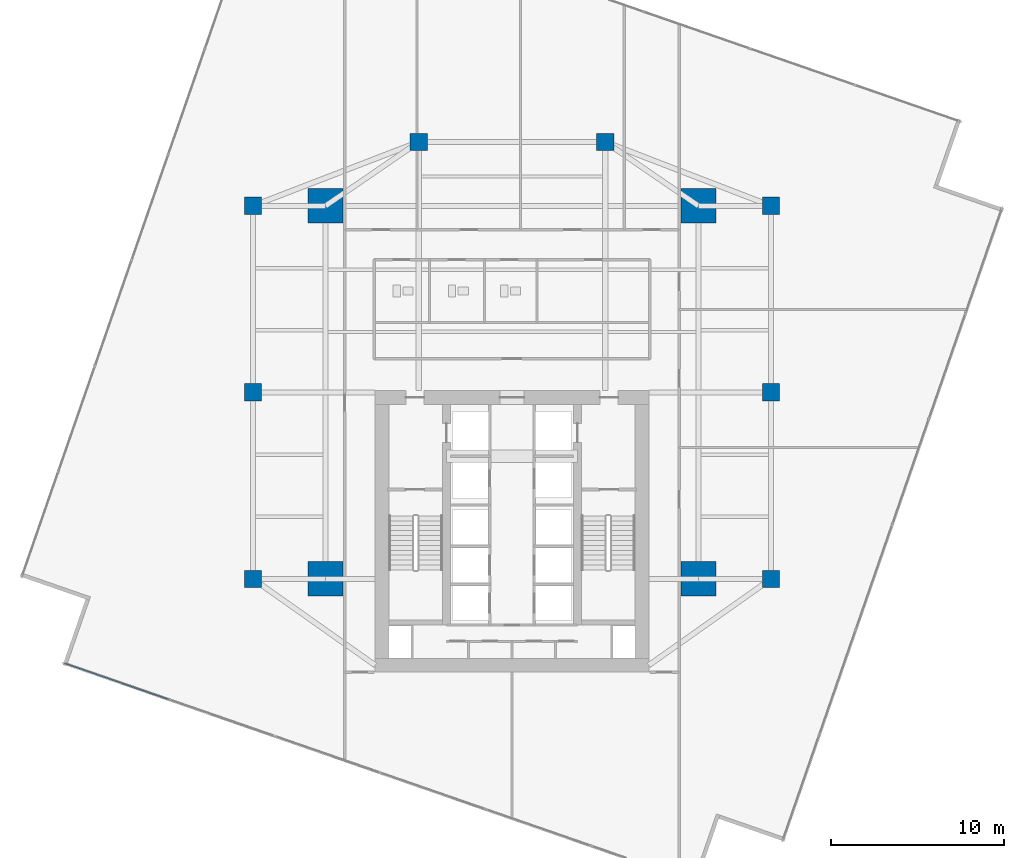
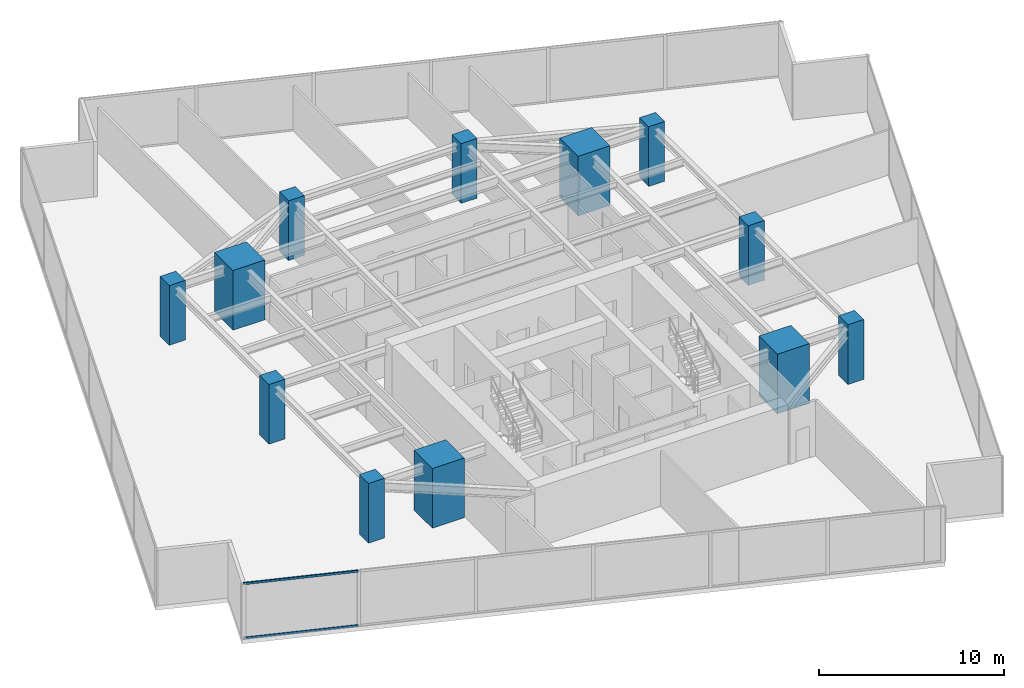
# One storey, part 1 of 27: 12 columns, 2 members, 1 element without a shape of its own.
"""IFC4 building model written with IfcOpenShell, lengths in metres."""

from ifc_helpers import new_model, si_unit, direction, frame, origin, origin_2d, place, context, subcontext, project, spatial, rectangle, hollow_rectangle, extrude, source, transform, mapped, material, material_profile, profile_set, type_object, type_shapes, element, aggregate, save


model = new_model("IFC4")

# Units and contexts
model_context = context("Model", 3, precision=1e-05, world=origin(), true_north=direction((0.0, 1.0)))
body_context = subcontext(model_context, "Body", "Model", "MODEL_VIEW")
ifc_project = project(units=[si_unit("LENGTHUNIT", "METRE"), si_unit("AREAUNIT", "SQUARE_METRE"), si_unit("VOLUMEUNIT", "CUBIC_METRE"), si_unit("PLANEANGLEUNIT", "RADIAN"), si_unit("MASSUNIT", "GRAM", prefix="KILO")], contexts=[model_context])

# Site, building, storey
site_placement = place(None, origin())
site = spatial("IfcSite", under=ifc_project, at=site_placement, CompositionType="ELEMENT")
building_placement = place(site_placement, origin())
building = spatial("IfcBuilding", under=site, at=building_placement, Name="Krantzveldt Concourse Tower", CompositionType="ELEMENT")
storey_placement = place(building_placement, frame((0.0, 0.0, 121.64990234375)))
storey = spatial("IfcBuildingStorey", under=building, at=storey_placement, Name="L29", CompositionType="ELEMENT", Elevation=121.64990234375)

# Columns
ifc_material_1 = material(Name="Concrete C60/75", Category="concrete")
ifc_material_profile_1 = material_profile(ifc_material_1, rectangle(XDim=2.0, YDim=2.0, at=origin_2d()), Name="Concrete C60/75", Category="concrete")
ifc_profile_set_1 = profile_set([ifc_material_profile_1], Name="Concrete C60/75 - RC 2000x2000")
column_type_1 = type_object("IfcColumnType", Name="COL-MC-2000", PredefinedType="USERDEFINED", material=ifc_profile_set_1)
shared_shape_1 = source(origin(), body_context, "Body", "SweptSolid", [
    extrude(rectangle(XDim=2.0, YDim=2.0, at=origin_2d()), origin(), (0.0, 0.0, 1.0), 3.9501953125),
])
type_shapes(column_type_1, [shared_shape_1])
for number, where, z_axis, x_axis, name in (
    (1, (25.199951171875, 15.89990234375, 0.0), (0.0, 0.0, 1.0), (1.0, 0.0, 0.0), "MC-SW-L29"),
    (2, (46.800048828125, 15.89990234375, 0.0), (0.0, 0.0, 1.0), (1.0, 0.0, 0.0), "MC-SE-L29"),
    (3, (46.800048828125, 37.5, 0.0), (0.0, 0.0, 1.0), (1.0, 0.0, 0.0), "MC-NE-L29"),
    (4, (25.199951171875, 37.5, 0.0), (0.0, 0.0, 1.0), (1.0, 0.0, 0.0), "MC-NW-L29"),
):
    element("IfcColumn", number, at=place(storey_placement, frame(where, z_axis=z_axis, x_axis=x_axis)), inside=storey, type_object=column_type_1, Name=name, ObjectType="MEGA COLUMN", PredefinedType="USERDEFINED", context=body_context, shape_type="MappedRepresentation", body=[
        mapped(shared_shape_1, transform((0.0, 0.0, 0.0), x_axis=(1.0, 0.0, 0.0), y_axis=(0.0, 1.0, 0.0), z_axis=(0.0, 0.0, 1.0), scale=1.0)),
    ])
ifc_material_profile_2 = material_profile(ifc_material_1, rectangle(XDim=1.0, YDim=1.0, at=origin_2d()), Name="Concrete C60/75", Category="concrete")
ifc_profile_set_2 = profile_set([ifc_material_profile_2], Name="Concrete C60/75 - RC 1000x1000")
column_type_2 = type_object("IfcColumnType", Name="COL-C-Z2", PredefinedType="COLUMN", material=ifc_profile_set_2)
shared_shape_2 = source(origin(), body_context, "Body", "SweptSolid", [
    extrude(rectangle(XDim=1.0, YDim=1.0, at=origin_2d()), origin(), (0.0, 0.0, 1.0), 3.9501953125),
])
type_shapes(column_type_2, [shared_shape_2])
for number, where, z_axis, x_axis, name in (
    (5, (21.0, 15.89990234375, 0.0), (0.0, 0.0, 1.0), (1.0, 0.0, 0.0), "PC-R01-L29"),
    (6, (21.0, 26.699951171875, 0.0), (0.0, 0.0, 1.0), (1.0, 0.0, 0.0), "PC-R02-L29"),
    (7, (21.0, 37.5, 0.0), (0.0, 0.0, 1.0), (1.0, 0.0, 0.0), "PC-R03-L29"),
    (8, (30.60009765625, 41.199951171875, 0.0), (0.0, 0.0, 1.0), (1.0, 0.0, 0.0), "PC-R04-L29"),
    (9, (41.39990234375, 41.199951171875, 0.0), (0.0, 0.0, 1.0), (1.0, 0.0, 0.0), "PC-R05-L29"),
    (10, (51.0, 37.5, 0.0), (0.0, 0.0, 1.0), (1.0, 0.0, 0.0), "PC-R06-L29"),
    (11, (51.0, 26.699951171875, 0.0), (0.0, 0.0, 1.0), (1.0, 0.0, 0.0), "PC-R07-L29"),
    (12, (51.0, 15.89990234375, 0.0), (0.0, 0.0, 1.0), (1.0, 0.0, 0.0), "PC-R08-L29"),
):
    element("IfcColumn", number, at=place(storey_placement, frame(where, z_axis=z_axis, x_axis=x_axis)), inside=storey, type_object=column_type_2, Name=name, PredefinedType="COLUMN", context=body_context, shape_type="MappedRepresentation", body=[
        mapped(shared_shape_2, transform((0.0, 0.0, 0.0), x_axis=(1.0, 0.0, 0.0), y_axis=(0.0, 1.0, 0.0), z_axis=(0.0, 0.0, 1.0), scale=1.0)),
    ])

# Curtain wall, members
ifc_material_2 = material(Name="Anodised aluminium 6063-T6", Category="aluminium")
curtain_wall_type = type_object("IfcCurtainWallType", Name="CW2", PredefinedType="USERDEFINED", material=ifc_material_2)
curtain_wall_placement = place(storey_placement, origin())
curtain_wall = element("IfcCurtainWall", 13, at=curtain_wall_placement, inside=storey, type_object=curtain_wall_type, Name="CW-L29-F04", ObjectType="UNITISED CURTAIN WALL", PredefinedType="USERDEFINED")
ifc_material_profile_3 = material_profile(ifc_material_2, hollow_rectangle(XDim=0.070068359375, YDim=0.139892578125, WallThickness=0.0048828125, at=origin_2d()), Name="Anodised aluminium 6063-T6", Category="aluminium")
ifc_profile_set_3 = profile_set([ifc_material_profile_3], Name="Anodised aluminium 6063-T6 - ALU-TRAN 140x70x5")
member_type = type_object("IfcMemberType", Name="CW-TRN-150", PredefinedType="USERDEFINED", material=ifc_profile_set_3)
shared_shape_3 = source(origin(), body_context, "Body", "SweptSolid", [
    extrude(hollow_rectangle(XDim=0.070068359375, YDim=0.139892578125, WallThickness=0.0048828125, at=origin_2d()), origin(), (0.0, 0.0, 1.0), 6.361572265625),
])
type_shapes(member_type, [shared_shape_3])
member_1_placement = place(storey_placement, frame((10.099853515625, 11.009765625, 0.03515625), z_axis=(0.944795652423, -0.327660151931, 0.0), x_axis=(0.327660151931, 0.944795652423, 0.0)))
member_1 = element("IfcMember", 14, at=member_1_placement, type_object=member_type, Name="CW-Z12 transom 1.1", ObjectType="TRANSOM", PredefinedType="USERDEFINED", context=body_context, shape_type="MappedRepresentation", body=[
    mapped(shared_shape_3, transform((0.0, 0.0, 0.0), x_axis=(1.0, 0.0, 0.0), y_axis=(0.0, 1.0, 0.0), z_axis=(0.0, 0.0, 1.0), scale=1.0)),
])
member_2_placement = place(storey_placement, frame((10.099853515625, 11.009765625, 3.635009765625), z_axis=(0.944795652423, -0.327660151931, 0.0), x_axis=(0.327660151931, 0.944795652423, 0.0)))
member_2 = element("IfcMember", 15, at=member_2_placement, type_object=member_type, Name="CW-Z12 transom 1.2", ObjectType="TRANSOM", PredefinedType="USERDEFINED", context=body_context, shape_type="MappedRepresentation", body=[
    mapped(shared_shape_3, transform((0.0, 0.0, 0.0), x_axis=(1.0, 0.0, 0.0), y_axis=(0.0, 1.0, 0.0), z_axis=(0.0, 0.0, 1.0), scale=1.0)),
])
aggregate(curtain_wall, [member_1, member_2])

save(model, "model.ifc")
